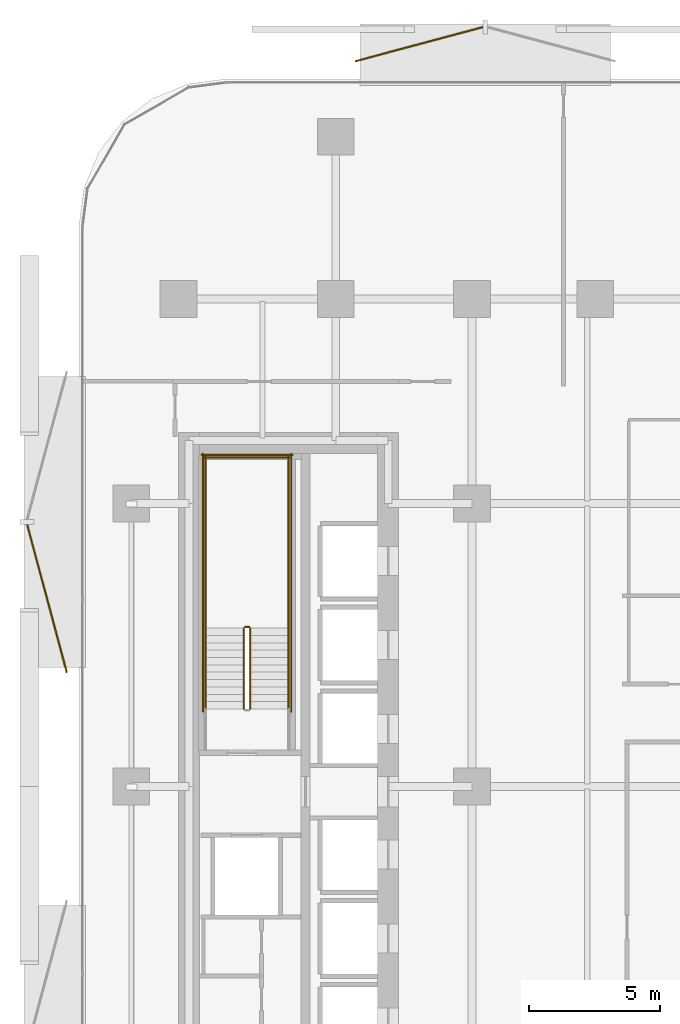
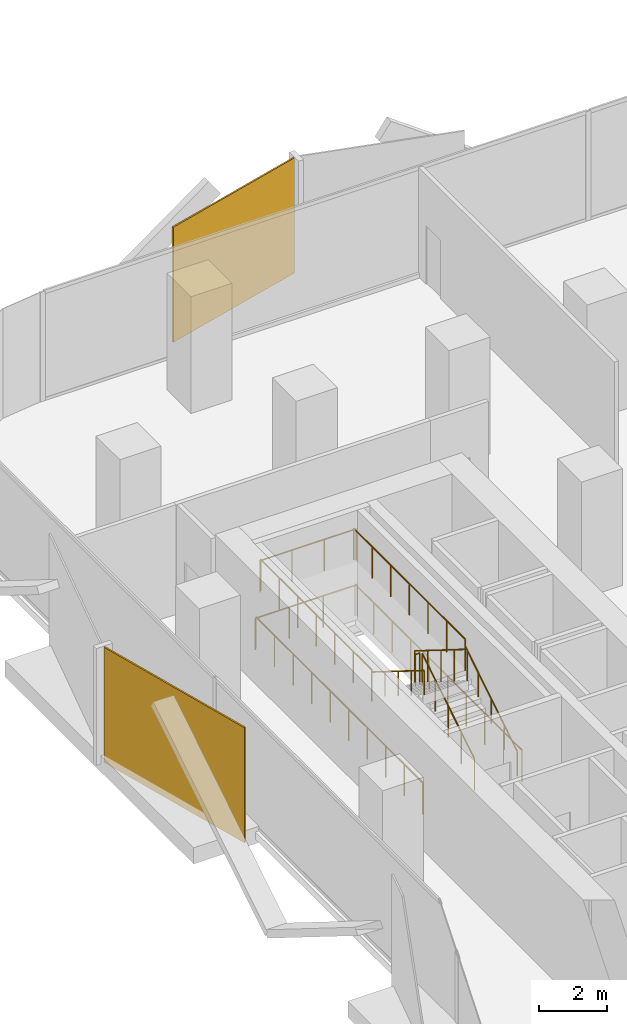
# One storey, part 14 of 15: 11 railings, 2 coverings.
"""IFC4 building model written with IfcOpenShell, lengths in metres."""

import ifcopenshell
import ifcopenshell.guid

model = None  # the IFC model being written
_history = None  # IfcOwnerHistory: only IFC2X3 demands one
_inside = {}  # id of a spatial element -> (the spatial element, [elements in it])
_under = {}  # id of a project, library or spatial element -> (it, [spatial elements below it])
_declared = {}  # id of a project -> (the project, [libraries it declares])
_typed = {}  # id of a type object -> (the type object, [elements of that type])
_made_of = {}  # id of a material, layer set ... -> (it, [elements and type objects made of it])


def new_model(schema):
    """Start an empty IFC model of exactly this schema.

    Asked for "IFC4X3", IfcOpenShell would pick the latest addendum, in which some entities
    have other attributes; the version numbers below select the first issue.
    IFC2X3 requires an IfcOwnerHistory on every rooted entity: one is made here for all.
    """
    global model, _history
    if schema == "IFC4X3":
        model = ifcopenshell.file(schema_version=(4, 3, 0, 0))
    else:
        model = ifcopenshell.file(schema=schema)
    _inside.clear()
    _under.clear()
    _declared.clear()
    _typed.clear()
    _made_of.clear()
    _history = None
    if model.schema == "IFC2X3":
        org = make("IfcOrganization", Name="unknown")
        user = make(
            "IfcPersonAndOrganization",
            ThePerson=make("IfcPerson", FamilyName="unknown"),
            TheOrganization=org,
        )
        app = make(
            "IfcApplication",
            ApplicationDeveloper=org,
            Version="unknown",
            ApplicationFullName="unknown",
            ApplicationIdentifier="unknown",
        )
        _history = make(
            "IfcOwnerHistory",
            OwningUser=user,
            OwningApplication=app,
            ChangeAction="ADDED",
            CreationDate=0,
        )
    return model


def make(cls, **values):
    """One entity of the class cls with the attributes given. An attribute that is None is left unset."""
    return model.create_entity(
        cls, **{name: value for name, value in values.items() if value is not None}
    )


def rooted(cls, **values):
    """An entity with a GlobalId (a new one), such as an element, a storey or a relation."""
    return make(cls, GlobalId=ifcopenshell.guid.new(), OwnerHistory=_history, **values)


def si_unit(unit_type, name, prefix=None):
    """IfcSIUnit, for example si_unit("LENGTHUNIT", "METRE", prefix="MILLI")."""
    return make("IfcSIUnit", UnitType=unit_type, Prefix=prefix, Name=name)


def assignment(units):
    """IfcUnitAssignment: the units of a project."""
    return None if units is None else make("IfcUnitAssignment", Units=units)


def point(xyz):
    """IfcCartesianPoint."""
    return None if xyz is None else make("IfcCartesianPoint", Coordinates=xyz)


def direction(xyz):
    """IfcDirection."""
    return None if xyz is None else make("IfcDirection", DirectionRatios=xyz)


def frame(location, z_axis=None, x_axis=None):
    """IfcAxis2Placement3D, a coordinate frame: its origin and axes. An axis left out is left unset."""
    return make(
        "IfcAxis2Placement3D",
        Location=point(location),
        Axis=direction(z_axis),
        RefDirection=direction(x_axis),
    )


def frame_2d(location, x_axis=None):
    """IfcAxis2Placement2D, a coordinate frame in the plane: its origin and x axis."""
    return make(
        "IfcAxis2Placement2D", Location=point(location), RefDirection=direction(x_axis)
    )


def origin():
    """The frame at (0, 0, 0) with its axes left unset."""
    return frame((0.0, 0.0, 0.0))


def origin_2d():
    """The frame at (0, 0) in the plane with its x axis left unset."""
    return frame_2d((0.0, 0.0))


def place(relative_to, where):
    """IfcLocalPlacement: puts the frame where relative to a parent placement (None: the world)."""
    return make(
        "IfcLocalPlacement", PlacementRelTo=relative_to, RelativePlacement=where
    )


def context(
    kind, dimensions, precision=None, world=None, true_north=None, identifier=None
):
    """IfcGeometricRepresentationContext, for example the 3D "Model" context."""
    return make(
        "IfcGeometricRepresentationContext",
        ContextIdentifier=identifier,
        ContextType=kind,
        CoordinateSpaceDimension=dimensions,
        Precision=precision,
        WorldCoordinateSystem=world,
        TrueNorth=true_north,
    )


def subcontext(parent, identifier, kind, view, scale=None):
    """IfcGeometricRepresentationSubContext, for example "Body" below "Model"."""
    return make(
        "IfcGeometricRepresentationSubContext",
        ContextIdentifier=identifier,
        ContextType=kind,
        ParentContext=parent,
        TargetScale=scale,
        TargetView=view,
    )


def project(units=None, contexts=None):
    """IfcProject with its units and contexts."""
    return rooted(
        "IfcProject",
        Name="project",
        RepresentationContexts=contexts,
        UnitsInContext=assignment(units),
    )


def spatial(cls, under=None, at=None, **own):
    """A site, building, storey or space (cls), placed at a placement, below another one or the project."""
    s = rooted(cls, ObjectPlacement=at, **own)
    if under is not None:
        _under.setdefault(under.id(), (under, []))[1].append(s)
    return s


def profile(cls, at=None, kind="AREA", **sizes):
    """A parametric profile (cls). Its sizes go by their IFC names, for example OverallWidth=200.0."""
    return make(cls, ProfileType=kind, Position=at, **sizes)


def rectangle(**sizes):
    """IfcRectangleProfileDef."""
    return profile("IfcRectangleProfileDef", **sizes)


def circle(**sizes):
    """IfcCircleProfileDef."""
    return profile("IfcCircleProfileDef", **sizes)


def extrude(swept, where, along, depth):
    """IfcExtrudedAreaSolid: the profile swept, set in the frame where, extruded along a direction by depth."""
    return make(
        "IfcExtrudedAreaSolid",
        SweptArea=swept,
        Position=where,
        ExtrudedDirection=direction(along),
        Depth=depth,
    )


def shape(context_of_items, identifier, shape_type, items):
    """IfcShapeRepresentation: the items that make up one representation, for example the "Body"."""
    return make(
        "IfcShapeRepresentation",
        ContextOfItems=context_of_items,
        RepresentationIdentifier=identifier,
        RepresentationType=shape_type,
        Items=items,
    )


def material(Name=None, Category=None):
    """IfcMaterial."""
    return make("IfcMaterial", Name=Name, Category=Category)


def layer(
    of_material, thickness, ventilated=None, Name=None, Category=None, Priority=None
):
    """IfcMaterialLayer: one layer of a wall or slab, of a material (None: an air gap)."""
    return make(
        "IfcMaterialLayer",
        Material=of_material,
        LayerThickness=thickness,
        IsVentilated=ventilated,
        Name=Name,
        Category=Category,
        Priority=Priority,
    )


def layer_set(layers, Name=None):
    """IfcMaterialLayerSet."""
    return make("IfcMaterialLayerSet", MaterialLayers=layers, LayerSetName=Name)


def made_of(thing, what):
    """Note that an element or type object is made of a material, layer set ...; save() writes the relation."""
    if what is not None:
        _made_of.setdefault(what.id(), (what, []))[1].append(thing)
    return thing


def type_object(cls, material=None, **own):
    """A type object (cls), such as IfcWallType, which elements share."""
    return made_of(rooted(cls, **own), material)


def element(
    cls,
    number,
    at=None,
    inside=None,
    cuts=None,
    type_object=None,
    material=None,
    context=None,
    identifier="Body",
    shape_type=None,
    held_by="IfcProductDefinitionShape",
    body=None,
    shapes=None,
    **own,
):
    """One element of the class cls, such as IfcWall. Its Tag is "e" and its number.

    at: its placement. inside: the storey or other place that contains it. cuts: it is an
    opening in that element (IfcRelVoidsElement). A single representation is given by context,
    identifier, shape_type and body (its items); several are given by shapes. held_by: the class
    of the entity that holds the representations. save() writes the other relations.
    """
    e = rooted(cls, Tag="e%d" % number, ObjectPlacement=at, **own)
    if body is not None:
        shapes = [shape(context, identifier, shape_type, body)]
    if shapes is not None:
        e.Representation = make(held_by, Representations=shapes)
    if inside is not None:
        _inside.setdefault(inside.id(), (inside, []))[1].append(e)
    if cuts is not None:
        rooted(
            "IfcRelVoidsElement", RelatingBuildingElement=cuts, RelatedOpeningElement=e
        )
    if type_object is not None:
        _typed.setdefault(type_object.id(), (type_object, []))[1].append(e)
    return made_of(e, material)


def aggregate(whole, parts):
    """IfcRelAggregates: a whole, such as a stair, and the parts it consists of."""
    return rooted("IfcRelAggregates", RelatingObject=whole, RelatedObjects=parts)


def save(model, path):
    """Write the relations noted so far, then the file.

    IfcRelAggregates (storeys below a building ...), IfcRelContainedInSpatialStructure (elements
    in a storey), IfcRelDefinesByType, IfcRelAssociatesMaterial and IfcRelDeclares: one each for
    every whole, place, type object, material and project.
    """
    for whole, parts in _under.values():
        aggregate(whole, parts)
    for where, things in _inside.values():
        rooted(
            "IfcRelContainedInSpatialStructure",
            RelatedElements=things,
            RelatingStructure=where,
        )
    for kind, things in _typed.values():
        rooted("IfcRelDefinesByType", RelatedObjects=things, RelatingType=kind)
    for what, things in _made_of.values():
        rooted("IfcRelAssociatesMaterial", RelatedObjects=things, RelatingMaterial=what)
    for by, libraries in _declared.values():
        rooted("IfcRelDeclares", RelatingContext=by, RelatedDefinitions=libraries)
    model.write(path)


model = new_model("IFC4")

# Units and contexts
model_context = context("Model", 3, precision=1e-05, world=origin(), true_north=direction((0.0, 1.0)))
body_context = subcontext(model_context, "Body", "Model", "MODEL_VIEW")
ifc_project = project(units=[si_unit("LENGTHUNIT", "METRE"), si_unit("AREAUNIT", "SQUARE_METRE"), si_unit("VOLUMEUNIT", "CUBIC_METRE"), si_unit("PLANEANGLEUNIT", "RADIAN"), si_unit("MASSUNIT", "GRAM", prefix="KILO")], contexts=[model_context])

# Site, building, storey
site_placement = place(None, origin())
site = spatial("IfcSite", under=ifc_project, at=site_placement, CompositionType="ELEMENT")
building_placement = place(site_placement, origin())
building = spatial("IfcBuilding", under=site, at=building_placement, Name="Khairoan Windgate Tower", CompositionType="ELEMENT")
storey_placement = place(building_placement, frame((0.0, 0.0, 38.60009765625)))
storey = spatial("IfcBuildingStorey", under=building, at=storey_placement, Name="L09", CompositionType="ELEMENT", Elevation=38.60009765625)

# Coverings
ifc_material_1 = material(Name="Anodised Bronze Aluminium 6063-T6", Category="aluminium")
ifc_layer = layer(ifc_material_1, 0.054931640625, Name="Anodised Bronze Aluminium 6063-T6")
ifc_layer_set = layer_set([ifc_layer], Name="Anodised Bronze Aluminium 6063-T6")
covering_type = type_object("IfcCoveringType", Name="Perforated Bronze-Ceramic Folded Solar Screen Cladding BSC-1", PredefinedType="CLADDING", material=ifc_layer_set)
covering_1_placement = place(storey_placement, frame((-25.42236328125, 7.177734375, -0.10009765625), z_axis=(0.0, 0.0, 1.0), x_axis=(-0.258819045103, 0.965925826289, 0.0)))
element("IfcCovering", 1, at=covering_1_placement, inside=storey, type_object=covering_type, Name="L09 Folded Bronze Solar Screen Facet 28L", PredefinedType="CLADDING", context=body_context, shape_type="SweptSolid", body=[
    extrude(rectangle(XDim=5.85498046875, YDim=0.054931640625, at=origin_2d()), origin(), (0.0, 0.0, 1.0), 4.139892578125),
])
covering_2_placement = place(storey_placement, frame((-11.220947265625, 28.327392578125, -0.10009765625), z_axis=(0.0, 0.0, 1.0), x_axis=(0.965925826289, 0.258819045103, 0.0)))
element("IfcCovering", 2, at=covering_2_placement, inside=storey, type_object=covering_type, Name="L09 Folded Bronze Solar Screen Facet 29L", PredefinedType="CLADDING", context=body_context, shape_type="SweptSolid", body=[
    extrude(rectangle(XDim=5.04296875, YDim=0.054931640625, at=origin_2d()), origin(), (0.0, 0.0, 1.0), 4.139892578125),
])

# Railings
ifc_material_2 = material(Name="Anodised Bronze Aluminium 6063-T6", Category="aluminium")
railing_type_1 = type_object("IfcRailingType", Name="Stair Wall Handrail SHR-900", PredefinedType="HANDRAIL", material=ifc_material_2)
railing_1_placement = place(storey_placement, frame((-16.199951171875, 2.9599609375, 0.1748046875)))
element("IfcRailing", 3, at=railing_1_placement, inside=storey, type_object=railing_type_1, Name="L09 ST2 stair handrail 1", PredefinedType="HANDRAIL", context=body_context, shape_type="SweptSolid", body=[
    extrude(circle(Radius=0.02392578125, at=origin_2d()), frame((0.0, 0.0, 0.8759765625), z_axis=(0.0, 0.847998304005, 0.529998940003), x_axis=(-1.0, 0.0, 0.0)), (0.0, 0.0, 1.0), 3.632080078125),
    extrude(circle(Radius=0.02099609375, at=origin_2d()), origin(), (0.0, 0.0, 1.0), 0.851806640625),
    extrude(circle(Radius=0.02099609375, at=origin_2d()), frame((0.0, 0.77001953125, 0.481201171875)), (0.0, 0.0, 1.0), 0.851806640625),
    extrude(circle(Radius=0.02099609375, at=origin_2d()), frame((0.0, 1.5400390625, 0.96240234375)), (0.0, 0.0, 1.0), 0.851806640625),
    extrude(circle(Radius=0.02099609375, at=origin_2d()), frame((0.0, 2.31005859375, 1.44384765625)), (0.0, 0.0, 1.0), 0.851806640625),
    extrude(circle(Radius=0.02099609375, at=origin_2d()), frame((0.0, 3.080078125, 1.925048828125)), (0.0, 0.0, 1.0), 0.851806640625),
])
railing_2_placement = place(storey_placement, frame((-19.3701171875, 6.0400390625, 2.27490234375)))
element("IfcRailing", 4, at=railing_2_placement, inside=storey, type_object=railing_type_1, Name="L09 ST2 stair handrail 2", PredefinedType="HANDRAIL", context=body_context, shape_type="SweptSolid", body=[
    extrude(circle(Radius=0.02392578125, at=origin_2d()), frame((0.0, 0.0, 0.8759765625), z_axis=(0.0, -0.847998304005, 0.529998940003), x_axis=(1.0, 0.0, 0.0)), (0.0, 0.0, 1.0), 3.632080078125),
    extrude(circle(Radius=0.02099609375, at=origin_2d()), origin(), (0.0, 0.0, 1.0), 0.851806640625),
    extrude(circle(Radius=0.02099609375, at=origin_2d()), frame((0.0, -0.77001953125, 0.481201171875)), (0.0, 0.0, 1.0), 0.851806640625),
    extrude(circle(Radius=0.02099609375, at=origin_2d()), frame((0.0, -1.5400390625, 0.96240234375)), (0.0, 0.0, 1.0), 0.851806640625),
    extrude(circle(Radius=0.02099609375, at=origin_2d()), frame((0.0, -2.31005859375, 1.44384765625)), (0.0, 0.0, 1.0), 0.851806640625),
    extrude(circle(Radius=0.02099609375, at=origin_2d()), frame((0.0, -3.080078125, 1.925048828125)), (0.0, 0.0, 1.0), 0.851806640625),
])
ifc_material_3 = material(Name="Steel S355", Category="steel")
railing_type_2 = type_object("IfcRailingType", Name="Stairwell Safety Guardrail SGR-1150", PredefinedType="GUARDRAIL", material=ifc_material_3)
railing_3_placement = place(storey_placement, frame((-17.659912109375, 2.9599609375, 0.1748046875)))
element("IfcRailing", 5, at=railing_3_placement, inside=storey, type_object=railing_type_2, Name="L09 ST2 stair guard 1", PredefinedType="GUARDRAIL", context=body_context, shape_type="SweptSolid", body=[
    extrude(circle(Radius=0.02392578125, at=origin_2d()), frame((0.0, 0.0, 1.1259765625), z_axis=(0.0, 0.847998304005, 0.529998940003), x_axis=(-1.0, 0.0, 0.0)), (0.0, 0.0, 1.0), 3.632080078125),
    extrude(circle(Radius=0.02099609375, at=origin_2d()), origin(), (0.0, 0.0, 1.0), 1.101806640625),
    extrude(circle(Radius=0.02099609375, at=origin_2d()), frame((0.0, 0.77001953125, 0.481201171875)), (0.0, 0.0, 1.0), 1.101806640625),
    extrude(circle(Radius=0.02099609375, at=origin_2d()), frame((0.0, 1.5400390625, 0.96240234375)), (0.0, 0.0, 1.0), 1.101806640625),
    extrude(circle(Radius=0.02099609375, at=origin_2d()), frame((0.0, 2.31005859375, 1.44384765625)), (0.0, 0.0, 1.0), 1.101806640625),
    extrude(circle(Radius=0.02099609375, at=origin_2d()), frame((0.0, 3.080078125, 1.925048828125)), (0.0, 0.0, 1.0), 1.101806640625),
])
railing_4_placement = place(storey_placement, frame((-17.7099609375, 6.090087890625, 2.099853515625)))
element("IfcRailing", 6, at=railing_4_placement, inside=storey, type_object=railing_type_2, Name="L09 ST2 stair guard 2", PredefinedType="GUARDRAIL", context=body_context, shape_type="SweptSolid", body=[
    extrude(circle(Radius=0.02392578125, at=origin_2d()), frame((0.0, 0.0, 1.1259765625), z_axis=(-1.0, 0.0, 0.0), x_axis=(0.0, -1.0, 0.0)), (0.0, 0.0, 1.0), 0.150146484375),
    extrude(circle(Radius=0.02099609375, at=origin_2d()), origin(), (0.0, 0.0, 1.0), 1.101806640625),
    extrude(circle(Radius=0.02099609375, at=origin_2d()), frame((-0.150146484375, 0.0, 0.0)), (0.0, 0.0, 1.0), 1.101806640625),
])
for number, where, name in (
    (7, (-16.199951171875, 6.0400390625, 2.099853515625), "L09 ST2 stair guard 3"),
    (8, (-19.3701171875, 6.0400390625, 2.099853515625), "L09 ST2 stair guard 4"),
):
    element("IfcRailing", number, at=place(storey_placement, frame(where)), inside=storey, type_object=railing_type_2, Name=name, PredefinedType="GUARDRAIL", context=body_context, shape_type="SweptSolid", body=[
        extrude(circle(Radius=0.02392578125, at=origin_2d()), frame((0.0, 0.0, 1.1259765625), z_axis=(0.0, 1.0, 0.0), x_axis=(-1.0, 0.0, 0.0)), (0.0, 0.0, 1.0), 6.56005859375),
        extrude(circle(Radius=0.02099609375, at=origin_2d()), origin(), (0.0, 0.0, 1.0), 1.101806640625),
        extrude(circle(Radius=0.02099609375, at=origin_2d()), frame((0.0, 1.09326171875, 0.0)), (0.0, 0.0, 1.0), 1.101806640625),
        extrude(circle(Radius=0.02099609375, at=origin_2d()), frame((0.0, 2.186767578125, 0.0)), (0.0, 0.0, 1.0), 1.101806640625),
        extrude(circle(Radius=0.02099609375, at=origin_2d()), frame((0.0, 3.280029296875, 0.0)), (0.0, 0.0, 1.0), 1.101806640625),
        extrude(circle(Radius=0.02099609375, at=origin_2d()), frame((0.0, 4.373291015625, 0.0)), (0.0, 0.0, 1.0), 1.101806640625),
        extrude(circle(Radius=0.02099609375, at=origin_2d()), frame((0.0, 5.466796875, 0.0)), (0.0, 0.0, 1.0), 1.101806640625),
        extrude(circle(Radius=0.02099609375, at=origin_2d()), frame((0.0, 6.56005859375, 0.0)), (0.0, 0.0, 1.0), 1.101806640625),
    ])
railing_5_placement = place(storey_placement, frame((-16.14990234375, 12.550048828125, 2.099853515625)))
element("IfcRailing", 9, at=railing_5_placement, inside=storey, type_object=railing_type_2, Name="L09 ST2 stair guard 5", PredefinedType="GUARDRAIL", context=body_context, shape_type="SweptSolid", body=[
    extrude(circle(Radius=0.02392578125, at=origin_2d()), frame((0.0, 0.0, 1.1259765625), z_axis=(-1.0, 0.0, 0.0), x_axis=(0.0, -1.0, 0.0)), (0.0, 0.0, 1.0), 3.27001953125),
    extrude(circle(Radius=0.02099609375, at=origin_2d()), origin(), (0.0, 0.0, 1.0), 1.101806640625),
    extrude(circle(Radius=0.02099609375, at=origin_2d()), frame((-1.090087890625, 0.0, 0.0)), (0.0, 0.0, 1.0), 1.101806640625),
    extrude(circle(Radius=0.02099609375, at=origin_2d()), frame((-2.179931640625, 0.0, 0.0)), (0.0, 0.0, 1.0), 1.101806640625),
    extrude(circle(Radius=0.02099609375, at=origin_2d()), frame((-3.27001953125, 0.0, 0.0)), (0.0, 0.0, 1.0), 1.101806640625),
])
railing_6_placement = place(storey_placement, frame((-17.909912109375, 6.0400390625, 2.27490234375)))
element("IfcRailing", 10, at=railing_6_placement, inside=storey, type_object=railing_type_2, Name="L09 ST2 stair guard 6", PredefinedType="GUARDRAIL", context=body_context, shape_type="SweptSolid", body=[
    extrude(circle(Radius=0.02392578125, at=origin_2d()), frame((0.0, 0.0, 1.1259765625), z_axis=(0.0, -0.847998304005, 0.529998940003), x_axis=(1.0, 0.0, 0.0)), (0.0, 0.0, 1.0), 3.632080078125),
    extrude(circle(Radius=0.02099609375, at=origin_2d()), origin(), (0.0, 0.0, 1.0), 1.101806640625),
    extrude(circle(Radius=0.02099609375, at=origin_2d()), frame((0.0, -0.77001953125, 0.481201171875)), (0.0, 0.0, 1.0), 1.101806640625),
    extrude(circle(Radius=0.02099609375, at=origin_2d()), frame((0.0, -1.5400390625, 0.96240234375)), (0.0, 0.0, 1.0), 1.101806640625),
    extrude(circle(Radius=0.02099609375, at=origin_2d()), frame((0.0, -2.31005859375, 1.44384765625)), (0.0, 0.0, 1.0), 1.101806640625),
    extrude(circle(Radius=0.02099609375, at=origin_2d()), frame((0.0, -3.080078125, 1.925048828125)), (0.0, 0.0, 1.0), 1.101806640625),
])
for number, where, name in (
    (11, (-16.10009765625, 2.860107421875, 0.0), "L09 ST2 stair guard 10"),
    (12, (-19.469970703125, 2.860107421875, 0.0), "L09 ST2 stair guard 11"),
):
    element("IfcRailing", number, at=place(storey_placement, frame(where)), inside=storey, type_object=railing_type_2, Name=name, PredefinedType="GUARDRAIL", context=body_context, shape_type="SweptSolid", body=[
        extrude(circle(Radius=0.02392578125, at=origin_2d()), frame((0.0, 0.0, 1.1259765625), z_axis=(0.0, 1.0, 0.0), x_axis=(-1.0, 0.0, 0.0)), (0.0, 0.0, 1.0), 9.83984375),
        extrude(circle(Radius=0.02099609375, at=origin_2d()), origin(), (0.0, 0.0, 1.0), 1.101806640625),
        extrude(circle(Radius=0.02099609375, at=origin_2d()), frame((0.0, 1.09326171875, 0.0)), (0.0, 0.0, 1.0), 1.101806640625),
        extrude(circle(Radius=0.02099609375, at=origin_2d()), frame((0.0, 2.1865234375, 0.0)), (0.0, 0.0, 1.0), 1.101806640625),
        extrude(circle(Radius=0.02099609375, at=origin_2d()), frame((0.0, 3.280029296875, 0.0)), (0.0, 0.0, 1.0), 1.101806640625),
        extrude(circle(Radius=0.02099609375, at=origin_2d()), frame((0.0, 4.373291015625, 0.0)), (0.0, 0.0, 1.0), 1.101806640625),
        extrude(circle(Radius=0.02099609375, at=origin_2d()), frame((0.0, 5.466552734375, 0.0)), (0.0, 0.0, 1.0), 1.101806640625),
        extrude(circle(Radius=0.02099609375, at=origin_2d()), frame((0.0, 6.559814453125, 0.0)), (0.0, 0.0, 1.0), 1.101806640625),
        extrude(circle(Radius=0.02099609375, at=origin_2d()), frame((0.0, 7.6533203125, 0.0)), (0.0, 0.0, 1.0), 1.101806640625),
        extrude(circle(Radius=0.02099609375, at=origin_2d()), frame((0.0, 8.74658203125, 0.0)), (0.0, 0.0, 1.0), 1.101806640625),
        extrude(circle(Radius=0.02099609375, at=origin_2d()), frame((0.0, 9.83984375, 0.0)), (0.0, 0.0, 1.0), 1.101806640625),
    ])
railing_7_placement = place(storey_placement, frame((-16.050048828125, 12.64990234375, 0.0)))
element("IfcRailing", 13, at=railing_7_placement, inside=storey, type_object=railing_type_2, Name="L09 ST2 stair guard 12", PredefinedType="GUARDRAIL", context=body_context, shape_type="SweptSolid", body=[
    extrude(circle(Radius=0.02392578125, at=origin_2d()), frame((0.0, 0.0, 1.1259765625), z_axis=(-1.0, 0.0, 0.0), x_axis=(0.0, -1.0, 0.0)), (0.0, 0.0, 1.0), 3.469970703125),
    extrude(circle(Radius=0.02099609375, at=origin_2d()), origin(), (0.0, 0.0, 1.0), 1.101806640625),
    extrude(circle(Radius=0.02099609375, at=origin_2d()), frame((-1.15673828125, 0.0, 0.0)), (0.0, 0.0, 1.0), 1.101806640625),
    extrude(circle(Radius=0.02099609375, at=origin_2d()), frame((-2.313232421875, 0.0, 0.0)), (0.0, 0.0, 1.0), 1.101806640625),
    extrude(circle(Radius=0.02099609375, at=origin_2d()), frame((-3.469970703125, 0.0, 0.0)), (0.0, 0.0, 1.0), 1.101806640625),
])

save(model, "model.ifc")
